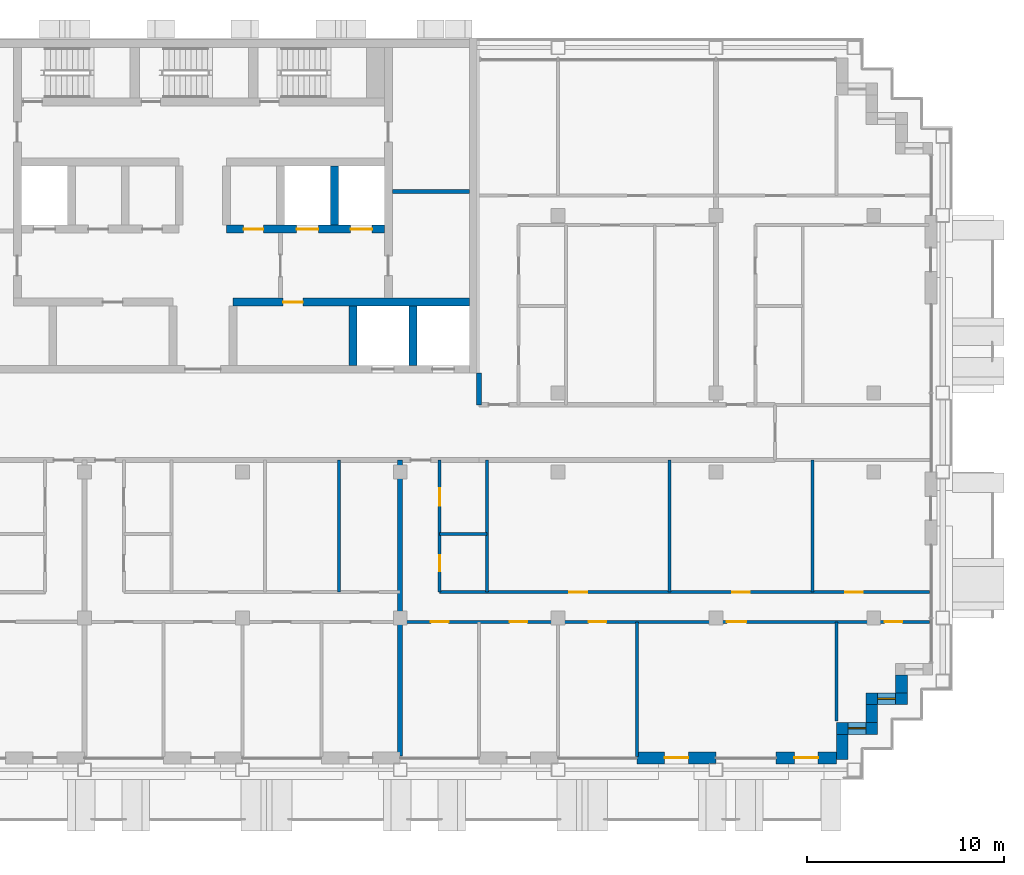
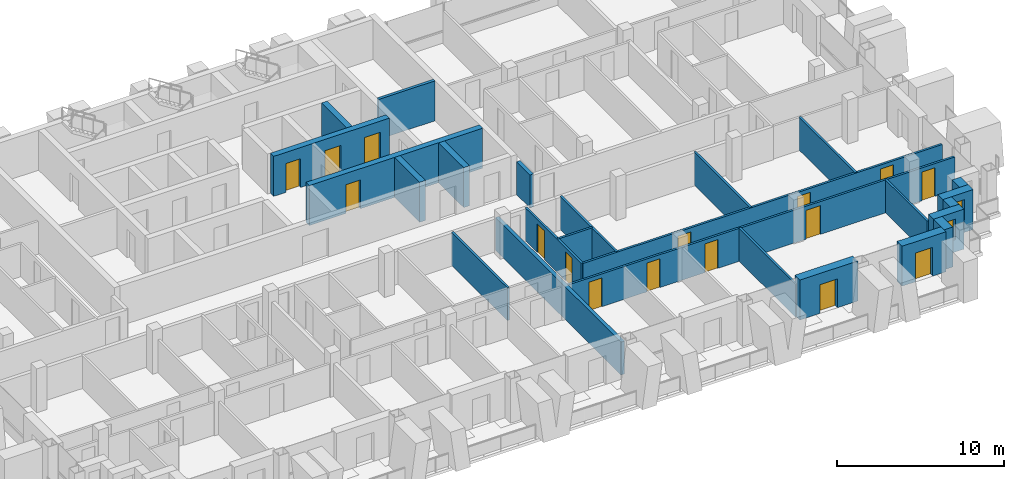
# One storey, part 10 of 16: 25 walls, 16 doors, 2 windows, 18 openings.
"""IFC4 building model written with IfcOpenShell, lengths in metres."""

from ifc_helpers import new_model, si_unit, direction, frame, frame_2d, origin, place, context, subcontext, project, spatial, rectangle, extrude, material, layer, layer_set, type_object, element, fill, save


model = new_model("IFC4")

# Units and contexts
model_context = context("Model", 3, precision=1e-05, world=origin(), true_north=direction((0.0, 1.0)))
body_context = subcontext(model_context, "Body", "Model", "MODEL_VIEW")
ifc_project = project(units=[si_unit("LENGTHUNIT", "METRE"), si_unit("AREAUNIT", "SQUARE_METRE"), si_unit("VOLUMEUNIT", "CUBIC_METRE"), si_unit("PLANEANGLEUNIT", "RADIAN"), si_unit("MASSUNIT", "GRAM", prefix="KILO")], contexts=[model_context])

# Site, building, storey
site_placement = place(None, origin())
site = spatial("IfcSite", under=ifc_project, at=site_placement, CompositionType="ELEMENT")
building_placement = place(site_placement, origin())
building = spatial("IfcBuilding", under=site, at=building_placement, Name="Vidyagriha Tower", CompositionType="ELEMENT")
storey_placement = place(building_placement, frame((0.0, 0.0, 168.5)))
storey = spatial("IfcBuildingStorey", under=building, at=storey_placement, Name="L43", CompositionType="ELEMENT", Elevation=168.5)

# Wall, opening, door
ifc_material_1 = material(Name="Precast concrete C40/50 with brick facing", Category="concrete")
ifc_layer_1 = layer(ifc_material_1, 0.60009765625)
ifc_layer_set_1 = layer_set([ifc_layer_1], Name="Precast concrete C40/50 with brick facing")
wall_type_1 = type_object("IfcWallType", Name="Brick-faced precast wall 600", PredefinedType="STANDARD", material=ifc_layer_set_1)
wall_1_placement = place(storey_placement, frame((22.0, -16.5, 0.0)))
wall_1 = element("IfcWall", 1, at=wall_1_placement, inside=storey, type_object=wall_type_1, Name="Brick door bay wall L43 R23.12", PredefinedType="STANDARD", context=body_context, shape_type="SweptSolid", body=[
    extrude(rectangle(XDim=4.0, YDim=0.60009765625, at=frame_2d((2.0, 0.0))), origin(), (0.0, 0.0, 1.0), 2.919921875),
])
opening_1_placement = place(wall_1_placement, frame((1.39990234375, 0.0, 0.0)))
opening_1 = element("IfcOpeningElement", 2, at=opening_1_placement, cuts=wall_1, Name="Opening D43-73", PredefinedType="OPENING", context=body_context, shape_type="SweptSolid", body=[
    extrude(rectangle(XDim=1.199951171875, YDim=2.10009765625, at=frame_2d((0.60009765625, 1.050048828125))), frame((0.0, 0.31005859375, 0.0), z_axis=(0.0, -1.0, 0.0), x_axis=(1.0, 0.0, 0.0)), (0.0, 0.0, 1.0), 0.6201171875),
])
ifc_material_2 = material(Name="Aluminium framed glazed sliding door", Category="aluminium")
door_type_1 = type_object("IfcDoorType", Name="Balcony sliding door 1200x2100", OperationType="NOTDEFINED", PredefinedType="DOOR", material=ifc_material_2)
door_1_placement = place(opening_1_placement, origin())
door_1 = element("IfcDoor", 3, at=door_1_placement, inside=storey, type_object=door_type_1, Name="Door D43-73", OperationType="SLIDING_TO_LEFT", OverallHeight=2.10009765625, OverallWidth=1.199951171875, PredefinedType="DOOR", context=body_context, shape_type="SweptSolid", body=[
    extrude(rectangle(XDim=1.199951171875, YDim=2.10009765625, at=frame_2d((0.60009765625, 1.050048828125))), frame((0.0, 0.02490234375, 0.0), z_axis=(0.0, -1.0, 0.0), x_axis=(1.0, 0.0, 0.0)), (0.0, 0.0, 1.0), 0.050048828125),
])
fill(opening_1, door_1)

wall_2_placement = place(storey_placement, frame((29.050048828125, -16.5, 0.0)))
wall_2 = element("IfcWall", 4, at=wall_2_placement, inside=storey, type_object=wall_type_1, Name="Brick door bay wall L43 R23.14", PredefinedType="STANDARD", context=body_context, shape_type="SweptSolid", body=[
    extrude(rectangle(XDim=3.050048828125, YDim=0.60009765625, at=frame_2d((1.52490234375, 0.0))), origin(), (0.0, 0.0, 1.0), 2.919921875),
])
opening_2_placement = place(wall_2_placement, frame((0.925048828125, 0.0, 0.0)))
opening_2 = element("IfcOpeningElement", 5, at=opening_2_placement, cuts=wall_2, Name="Opening D43-74", PredefinedType="OPENING", context=body_context, shape_type="SweptSolid", body=[
    extrude(rectangle(XDim=1.199951171875, YDim=2.10009765625, at=frame_2d((0.60009765625, 1.050048828125))), frame((0.0, 0.31005859375, 0.0), z_axis=(0.0, -1.0, 0.0), x_axis=(1.0, 0.0, 0.0)), (0.0, 0.0, 1.0), 0.6201171875),
])
door_2_placement = place(opening_2_placement, origin())
door_2 = element("IfcDoor", 6, at=door_2_placement, inside=storey, type_object=door_type_1, Name="Door D43-74", OperationType="SLIDING_TO_LEFT", OverallHeight=2.10009765625, OverallWidth=1.199951171875, PredefinedType="DOOR", context=body_context, shape_type="SweptSolid", body=[
    extrude(rectangle(XDim=1.199951171875, YDim=2.10009765625, at=frame_2d((0.60009765625, 1.050048828125))), frame((0.0, 0.02490234375, 0.0), z_axis=(0.0, -1.0, 0.0), x_axis=(1.0, 0.0, 0.0)), (0.0, 0.0, 1.0), 0.050048828125),
])
fill(opening_2, door_2)

# Wall
wall_3_placement = place(storey_placement, frame((32.39990234375, -16.580078125, 0.0), z_axis=(0.0, 0.0, 1.0), x_axis=(0.0, 1.0, 0.0)))
element("IfcWall", 7, at=wall_3_placement, inside=storey, type_object=wall_type_1, Name="Stepped corner wall L43 R24", PredefinedType="STANDARD", context=body_context, shape_type="SweptSolid", body=[
    extrude(rectangle(XDim=1.280029296875, YDim=0.60009765625, at=frame_2d((0.64013671875, 0.0))), origin(), (0.0, 0.0, 1.0), 2.919921875),
])

# Wall, opening, window
wall_4_placement = place(storey_placement, frame((32.10009765625, -15.0, 0.0)))
wall_4 = element("IfcWall", 8, at=wall_4_placement, inside=storey, type_object=wall_type_1, Name="Stepped corner wall L43 R25", PredefinedType="STANDARD", context=body_context, shape_type="SweptSolid", body=[
    extrude(rectangle(XDim=2.099853515625, YDim=0.60009765625, at=frame_2d((1.0498046875, 0.0))), origin(), (0.0, 0.0, 1.0), 2.919921875),
])
opening_3_placement = place(wall_4_placement, frame((0.60009765625, 0.0, 0.89990234375)))
opening_3 = element("IfcOpeningElement", 9, at=opening_3_placement, cuts=wall_4, Name="Opening WN1", PredefinedType="OPENING", context=body_context, shape_type="SweptSolid", body=[
    extrude(rectangle(XDim=0.89990234375, YDim=1.5, at=frame_2d((0.449951171875, 0.75))), frame((0.0, 0.31005859375, 0.0), z_axis=(0.0, -1.0, 0.0), x_axis=(1.0, 0.0, 0.0)), (0.0, 0.0, 1.0), 0.6201171875),
])
ifc_material_3 = material(Name="Aluminium and glass window", Category="aluminium")
window_type = type_object("IfcWindowType", Name="Reveal window 900x1500", PartitioningType="NOTDEFINED", PredefinedType="WINDOW", material=ifc_material_3)
window_1_placement = place(opening_3_placement, origin())
window_1 = element("IfcWindow", 10, at=window_1_placement, inside=storey, type_object=window_type, Name="Reveal window L43 R25", OverallHeight=1.5, OverallWidth=0.89990234375, PartitioningType="SINGLE_PANEL", PredefinedType="WINDOW", context=body_context, shape_type="SweptSolid", body=[
    extrude(rectangle(XDim=0.89990234375, YDim=1.5, at=frame_2d((0.449951171875, 0.75))), frame((0.0, 0.030029296875, 0.0), z_axis=(0.0, -1.0, 0.0), x_axis=(1.0, 0.0, 0.0)), (0.0, 0.0, 1.0), 0.06005859375),
])
fill(opening_3, window_1)

# Wall
wall_5_placement = place(storey_placement, frame((33.89990234375, -14.699951171875, 0.0), z_axis=(0.0, 0.0, 1.0), x_axis=(0.0, 1.0, 0.0)))
element("IfcWall", 11, at=wall_5_placement, inside=storey, type_object=wall_type_1, Name="Stepped corner wall L43 R26", PredefinedType="STANDARD", context=body_context, shape_type="SweptSolid", body=[
    extrude(rectangle(XDim=0.89990234375, YDim=0.60009765625, at=frame_2d((0.449951171875, 0.0))), origin(), (0.0, 0.0, 1.0), 2.919921875),
])

# Wall, opening, window
wall_6_placement = place(storey_placement, frame((33.60009765625, -13.5, 0.0)))
wall_6 = element("IfcWall", 12, at=wall_6_placement, inside=storey, type_object=wall_type_1, Name="Stepped corner wall L43 R27", PredefinedType="STANDARD", context=body_context, shape_type="SweptSolid", body=[
    extrude(rectangle(XDim=2.099853515625, YDim=0.60009765625, at=frame_2d((1.0498046875, 0.0))), origin(), (0.0, 0.0, 1.0), 2.919921875),
])
opening_4_placement = place(wall_6_placement, frame((0.60009765625, 0.0, 0.89990234375)))
opening_4 = element("IfcOpeningElement", 13, at=opening_4_placement, cuts=wall_6, Name="Opening WN1", PredefinedType="OPENING", context=body_context, shape_type="SweptSolid", body=[
    extrude(rectangle(XDim=0.89990234375, YDim=1.5, at=frame_2d((0.449951171875, 0.75))), frame((0.0, 0.31005859375, 0.0), z_axis=(0.0, -1.0, 0.0), x_axis=(1.0, 0.0, 0.0)), (0.0, 0.0, 1.0), 0.6201171875),
])
window_2_placement = place(opening_4_placement, origin())
window_2 = element("IfcWindow", 14, at=window_2_placement, inside=storey, type_object=window_type, Name="Reveal window L43 R27", OverallHeight=1.5, OverallWidth=0.89990234375, PartitioningType="SINGLE_PANEL", PredefinedType="WINDOW", context=body_context, shape_type="SweptSolid", body=[
    extrude(rectangle(XDim=0.89990234375, YDim=1.5, at=frame_2d((0.449951171875, 0.75))), frame((0.0, 0.030029296875, 0.0), z_axis=(0.0, -1.0, 0.0), x_axis=(1.0, 0.0, 0.0)), (0.0, 0.0, 1.0), 0.06005859375),
])
fill(opening_4, window_2)

# Wall
wall_7_placement = place(storey_placement, frame((35.39990234375, -13.199951171875, 0.0), z_axis=(0.0, 0.0, 1.0), x_axis=(0.0, 1.0, 0.0)))
element("IfcWall", 15, at=wall_7_placement, inside=storey, type_object=wall_type_1, Name="Stepped corner wall L43 R28", PredefinedType="STANDARD", context=body_context, shape_type="SweptSolid", body=[
    extrude(rectangle(XDim=0.89990234375, YDim=0.60009765625, at=frame_2d((0.449951171875, 0.0))), origin(), (0.0, 0.0, 1.0), 2.919921875),
])

# Wall, opening, door
ifc_material_4 = material(Name="Concrete C60/75", Category="concrete")
ifc_layer_2 = layer(ifc_material_4, 0.39990234375)
ifc_layer_set_2 = layer_set([ifc_layer_2], Name="Concrete C60/75")
wall_type_2 = type_object("IfcWallType", Name="Core shear wall 400 mm", PredefinedType="SHEAR", material=ifc_layer_set_2)
wall_8_placement = place(storey_placement, frame((1.522216796875, 6.60009765625, 0.0)))
wall_8 = element("IfcWall", 16, at=wall_8_placement, inside=storey, type_object=wall_type_2, Name="Core lobby south wall east", PredefinedType="SHEAR", context=body_context, shape_type="SweptSolid", body=[
    extrude(rectangle(XDim=11.977783203125, YDim=0.39990234375, at=frame_2d((5.98876953125, 0.0))), origin(), (0.0, 0.0, 1.0), 2.919921875),
])
opening_5_placement = place(wall_8_placement, frame((2.54443359375, 0.0, 0.0)))
opening_5 = element("IfcOpeningElement", 17, at=opening_5_placement, cuts=wall_8, Name="Opening D43-03", PredefinedType="OPENING", context=body_context, shape_type="SweptSolid", body=[
    extrude(rectangle(XDim=1.0, YDim=2.10009765625, at=frame_2d((0.5, 1.050048828125))), frame((0.0, 0.2099609375, 0.0), z_axis=(0.0, -1.0, 0.0), x_axis=(1.0, 0.0, 0.0)), (0.0, 0.0, 1.0), 0.419921875),
])
ifc_material_5 = material(Name="Hollow metal door leaf")
door_type_2 = type_object("IfcDoorType", Name="Core room door 1000 x 2100 mm EI 60", OperationType="NOTDEFINED", PredefinedType="DOOR", material=ifc_material_5)
door_3_placement = place(opening_5_placement, origin())
door_3 = element("IfcDoor", 18, at=door_3_placement, inside=storey, type_object=door_type_2, Name="Door Communications Room 43.02", OperationType="SINGLE_SWING_RIGHT", OverallHeight=2.10009765625, OverallWidth=1.0, PredefinedType="DOOR", context=body_context, shape_type="SweptSolid", body=[
    extrude(rectangle(XDim=1.0, YDim=2.10009765625, at=frame_2d((0.5, 1.050048828125))), frame((0.0, 0.02490234375, 0.0), z_axis=(0.0, -1.0, 0.0), x_axis=(1.0, 0.0, 0.0)), (0.0, 0.0, 1.0), 0.050048828125),
])
fill(opening_5, door_3)

# Walls
for number, where, z_axis, x_axis, name in (
    (19, (7.611083984375, 3.39990234375, 0.0), (0.0, 0.0, 1.0), (0.0, 1.0, 0.0), "Core bay wall S7"),
    (20, (10.655517578125, 3.39990234375, 0.0), (0.0, 0.0, 1.0), (0.0, 1.0, 0.0), "Core bay wall S8"),
):
    element("IfcWall", number, at=place(storey_placement, frame(where, z_axis=z_axis, x_axis=x_axis)), inside=storey, type_object=wall_type_2, Name=name, PredefinedType="SHEAR", context=body_context, shape_type="SweptSolid", body=[
        extrude(rectangle(XDim=3.0, YDim=0.39990234375, at=frame_2d((1.5, 0.0))), origin(), (0.0, 0.0, 1.0), 2.919921875),
    ])

# Wall, openings, doors
wall_9_placement = place(storey_placement, frame((1.199951171875, 10.300048828125, 0.0)))
wall_9 = element("IfcWall", 21, at=wall_9_placement, inside=storey, type_object=wall_type_2, Name="Core row N front wall", PredefinedType="SHEAR", context=body_context, shape_type="SweptSolid", body=[
    extrude(rectangle(XDim=8.0, YDim=0.39990234375, at=frame_2d((4.0, 0.0))), origin(), (0.0, 0.0, 1.0), 2.919921875),
])
opening_6_placement = place(wall_9_placement, frame((3.550048828125, 0.0, 0.0)))
opening_6 = element("IfcOpeningElement", 22, at=opening_6_placement, cuts=wall_9, Name="Opening LD43-04", PredefinedType="OPENING", context=body_context, shape_type="SweptSolid", body=[
    extrude(rectangle(XDim=1.10009765625, YDim=2.10009765625, at=frame_2d((0.550048828125, 1.050048828125))), frame((0.0, 0.2099609375, 0.0), z_axis=(0.0, -1.0, 0.0), x_axis=(1.0, 0.0, 0.0)), (0.0, 0.0, 1.0), 0.419921875),
])
opening_7_placement = place(wall_9_placement, frame((6.283203125, 0.0, 0.0)))
opening_7 = element("IfcOpeningElement", 23, at=opening_7_placement, cuts=wall_9, Name="Opening LD43-05", PredefinedType="OPENING", context=body_context, shape_type="SweptSolid", body=[
    extrude(rectangle(XDim=1.10009765625, YDim=2.10009765625, at=frame_2d((0.550048828125, 1.050048828125))), frame((0.0, 0.2099609375, 0.0), z_axis=(0.0, -1.0, 0.0), x_axis=(1.0, 0.0, 0.0)), (0.0, 0.0, 1.0), 0.419921875),
])
opening_8_placement = place(wall_9_placement, frame((0.86669921875, 0.0, 0.0)))
opening_8 = element("IfcOpeningElement", 24, at=opening_8_placement, cuts=wall_9, Name="Opening D43-06", PredefinedType="OPENING", context=body_context, shape_type="SweptSolid", body=[
    extrude(rectangle(XDim=1.0, YDim=2.10009765625, at=frame_2d((0.5, 1.050048828125))), frame((0.0, 0.2099609375, 0.0), z_axis=(0.0, -1.0, 0.0), x_axis=(1.0, 0.0, 0.0)), (0.0, 0.0, 1.0), 0.419921875),
])
door_4_placement = place(opening_8_placement, frame((1.0, 0.0, 0.0), z_axis=(0.0, 0.0, 1.0), x_axis=(-1.0, 0.0, 0.0)))
door_4 = element("IfcDoor", 25, at=door_4_placement, inside=storey, type_object=door_type_2, Name="Door Communications Room 43.16", OperationType="SINGLE_SWING_LEFT", OverallHeight=2.10009765625, OverallWidth=1.0, PredefinedType="DOOR", context=body_context, shape_type="SweptSolid", body=[
    extrude(rectangle(XDim=1.0, YDim=2.10009765625, at=frame_2d((0.5, 1.050048828125))), frame((0.0, 0.02490234375, 0.0), z_axis=(0.0, -1.0, 0.0), x_axis=(1.0, 0.0, 0.0)), (0.0, 0.0, 1.0), 0.050048828125),
])
fill(opening_8, door_4)
ifc_material_6 = material(Name="Stainless steel sliding door panel", Category="steel")
door_type_3 = type_object("IfcDoorType", Name="Lift landing door 1100 x 2100 mm EI 90", OperationType="NOTDEFINED", PredefinedType="DOOR", material=ifc_material_6)
door_5_placement = place(opening_6_placement, origin())
door_5 = element("IfcDoor", 26, at=door_5_placement, inside=storey, type_object=door_type_3, Name="Landing door FF1 L43", OperationType="SLIDING_TO_LEFT", OverallHeight=2.10009765625, OverallWidth=1.10009765625, PredefinedType="DOOR", context=body_context, shape_type="SweptSolid", body=[
    extrude(rectangle(XDim=1.10009765625, YDim=2.10009765625, at=frame_2d((0.550048828125, 1.050048828125))), frame((0.0, 0.02490234375, 0.0), z_axis=(0.0, -1.0, 0.0), x_axis=(1.0, 0.0, 0.0)), (0.0, 0.0, 1.0), 0.050048828125),
])
fill(opening_6, door_5)
door_6_placement = place(opening_7_placement, origin())
door_6 = element("IfcDoor", 27, at=door_6_placement, inside=storey, type_object=door_type_3, Name="Landing door FF2 L43", OperationType="SLIDING_TO_LEFT", OverallHeight=2.10009765625, OverallWidth=1.10009765625, PredefinedType="DOOR", context=body_context, shape_type="SweptSolid", body=[
    extrude(rectangle(XDim=1.10009765625, YDim=2.10009765625, at=frame_2d((0.550048828125, 1.050048828125))), frame((0.0, 0.02490234375, 0.0), z_axis=(0.0, -1.0, 0.0), x_axis=(1.0, 0.0, 0.0)), (0.0, 0.0, 1.0), 0.050048828125),
])
fill(opening_7, door_6)

# Walls
wall_10_placement = place(storey_placement, frame((6.666748046875, 10.5, 0.0), z_axis=(0.0, 0.0, 1.0), x_axis=(0.0, 1.0, 0.0)))
element("IfcWall", 28, at=wall_10_placement, inside=storey, type_object=wall_type_2, Name="Core bay wall N6", PredefinedType="SHEAR", context=body_context, shape_type="SweptSolid", body=[
    extrude(rectangle(XDim=3.0, YDim=0.39990234375, at=frame_2d((1.5, 0.0))), origin(), (0.0, 0.0, 1.0), 2.919921875),
])
ifc_material_7 = material(Name="Fired clay brick masonry", Category="masonry")
ifc_layer_3 = layer(ifc_material_7, 0.25)
ifc_layer_set_3 = layer_set([ifc_layer_3], Name="Fired clay brick masonry")
wall_type_3 = type_object("IfcWallType", Name="Fired clay brick corridor wall 250", PredefinedType="PARTITIONING", material=ifc_layer_set_3)
wall_11_placement = place(storey_placement, frame((14.0, 1.39990234375, 0.0), z_axis=(0.0, 0.0, 1.0), x_axis=(0.0, 1.0, 0.0)))
element("IfcWall", 29, at=wall_11_placement, inside=storey, type_object=wall_type_3, Name="Wall all-L43-w115", PredefinedType="PARTITIONING", context=body_context, shape_type="SweptSolid", body=[
    extrude(rectangle(XDim=1.60009765625, YDim=0.25, at=frame_2d((0.800048828125, 0.0))), origin(), (0.0, 0.0, 1.0), 2.39990234375),
])
ifc_material_8 = material(Name="Fired clay brick masonry", Category="masonry")
ifc_layer_4 = layer(ifc_material_8, 0.25)
ifc_layer_set_4 = layer_set([ifc_layer_4], Name="Fired clay brick masonry")
wall_type_4 = type_object("IfcWallType", Name="Fired clay brick demising wall 250", PredefinedType="PARTITIONING", material=ifc_layer_set_4)
wall_12_placement = place(storey_placement, frame((10.0, -1.39990234375, 0.0), z_axis=(0.0, 0.0, 1.0), x_axis=(0.0, -1.0, 0.0)))
element("IfcWall", 30, at=wall_12_placement, inside=storey, type_object=wall_type_4, Name="Wall all-L43-w065", PredefinedType="PARTITIONING", context=body_context, shape_type="SweptSolid", body=[
    extrude(rectangle(XDim=15.010009765625, YDim=0.25, at=frame_2d((7.5048828125, 0.0))), origin(), (0.0, 0.0, 1.0), 2.39990234375),
])
ifc_material_9 = material(Name="Gypsum board partition")
ifc_layer_5 = layer(ifc_material_9, 0.14990234375)
ifc_layer_set_5 = layer_set([ifc_layer_5], Name="Gypsum board partition")
wall_type_5 = type_object("IfcWallType", Name="Gypsum board partition 150", PredefinedType="PARTITIONING", material=ifc_layer_set_5)
wall_13_placement = place(storey_placement, frame((6.89990234375, -1.39990234375, 0.0), z_axis=(0.0, 0.0, 1.0), x_axis=(0.0, -1.0, 0.0)))
element("IfcWall", 31, at=wall_13_placement, inside=storey, type_object=wall_type_5, Name="Wall all-L43-w028", PredefinedType="PARTITIONING", context=body_context, shape_type="SweptSolid", body=[
    extrude(rectangle(XDim=6.7001953125, YDim=0.14990234375, at=frame_2d((3.35009765625, 0.0))), origin(), (0.0, 0.0, 1.0), 2.39990234375),
])
wall_14_placement = place(storey_placement, frame((14.39990234375, -5.14990234375, 0.0), z_axis=(0.0, 0.0, 1.0), x_axis=(-1.0, 0.0, 0.0)))
element("IfcWall", 32, at=wall_14_placement, inside=storey, type_object=wall_type_5, Name="Wall all-L43-w046", PredefinedType="PARTITIONING", context=body_context, shape_type="SweptSolid", body=[
    extrude(rectangle(XDim=2.39990234375, YDim=0.14990234375, at=frame_2d((1.199951171875, 0.0))), origin(), (0.0, 0.0, 1.0), 2.39990234375),
])
for number, where, z_axis, x_axis, name in (
    (33, (14.39990234375, -1.39990234375, 0.0), (0.0, 0.0, 1.0), (0.0, -1.0, 0.0), "Wall all-L43-w047"),
    (34, (23.64990234375, -1.39990234375, 0.0), (0.0, 0.0, 1.0), (0.0, -1.0, 0.0), "Wall all-L43-w048"),
    (35, (30.89990234375, -1.39990234375, 0.0), (0.0, 0.0, 1.0), (0.0, -1.0, 0.0), "Wall all-L43-w049"),
):
    element("IfcWall", number, at=place(storey_placement, frame(where, z_axis=z_axis, x_axis=x_axis)), inside=storey, type_object=wall_type_5, Name=name, PredefinedType="PARTITIONING", context=body_context, shape_type="SweptSolid", body=[
        extrude(rectangle(XDim=6.7001953125, YDim=0.14990234375, at=frame_2d((3.35009765625, 0.0))), origin(), (0.0, 0.0, 1.0), 2.39990234375),
    ])

# Wall, openings, doors
wall_15_placement = place(storey_placement, frame((12.0, -8.10009765625, 0.0)))
wall_15 = element("IfcWall", 36, at=wall_15_placement, inside=storey, type_object=wall_type_5, Name="Wall all-L43-w050", PredefinedType="PARTITIONING", context=body_context, shape_type="SweptSolid", body=[
    extrude(rectangle(XDim=24.820068359375, YDim=0.14990234375, at=frame_2d((12.41015625, 0.0))), origin(), (0.0, 0.0, 1.0), 2.39990234375),
])
opening_9_placement = place(wall_15_placement, frame((6.574951171875, 0.0, 0.0)))
opening_9 = element("IfcOpeningElement", 37, at=opening_9_placement, cuts=wall_15, Name="Opening D43-37", PredefinedType="OPENING", context=body_context, shape_type="SweptSolid", body=[
    extrude(rectangle(XDim=0.89990234375, YDim=2.10009765625, at=frame_2d((0.449951171875, 1.050048828125))), frame((0.0, 0.0849609375, 0.0), z_axis=(0.0, -1.0, 0.0), x_axis=(1.0, 0.0, 0.0)), (0.0, 0.0, 1.0), 0.169921875),
])
opening_10_placement = place(wall_15_placement, frame((14.824951171875, 0.0, 0.0)))
opening_10 = element("IfcOpeningElement", 38, at=opening_10_placement, cuts=wall_15, Name="Opening D43-38", PredefinedType="OPENING", context=body_context, shape_type="SweptSolid", body=[
    extrude(rectangle(XDim=0.89990234375, YDim=2.10009765625, at=frame_2d((0.449951171875, 1.050048828125))), frame((0.0, 0.0849609375, 0.0), z_axis=(0.0, -1.0, 0.0), x_axis=(1.0, 0.0, 0.0)), (0.0, 0.0, 1.0), 0.169921875),
])
opening_11_placement = place(wall_15_placement, frame((20.552978515625, 0.0, 0.0)))
opening_11 = element("IfcOpeningElement", 39, at=opening_11_placement, cuts=wall_15, Name="Opening D43-39", PredefinedType="OPENING", context=body_context, shape_type="SweptSolid", body=[
    extrude(rectangle(XDim=0.89990234375, YDim=2.10009765625, at=frame_2d((0.449951171875, 1.050048828125))), frame((0.0, 0.0849609375, 0.0), z_axis=(0.0, -1.0, 0.0), x_axis=(1.0, 0.0, 0.0)), (0.0, 0.0, 1.0), 0.169921875),
])
ifc_material_10 = material(Name="Timber door leaf", Category="wood")
door_type_4 = type_object("IfcDoorType", Name="Room door 900x2100", OperationType="NOTDEFINED", PredefinedType="DOOR", material=ifc_material_10)
door_7_placement = place(opening_9_placement, origin())
door_7 = element("IfcDoor", 40, at=door_7_placement, inside=storey, type_object=door_type_4, Name="Door D43-37", OperationType="SINGLE_SWING_LEFT", OverallHeight=2.10009765625, OverallWidth=0.89990234375, PredefinedType="DOOR", context=body_context, shape_type="SweptSolid", body=[
    extrude(rectangle(XDim=0.89990234375, YDim=2.10009765625, at=frame_2d((0.449951171875, 1.050048828125))), frame((0.0, 0.02490234375, 0.0), z_axis=(0.0, -1.0, 0.0), x_axis=(1.0, 0.0, 0.0)), (0.0, 0.0, 1.0), 0.050048828125),
])
fill(opening_9, door_7)
door_8_placement = place(opening_10_placement, origin())
door_8 = element("IfcDoor", 41, at=door_8_placement, inside=storey, type_object=door_type_4, Name="Door D43-38", OperationType="SINGLE_SWING_RIGHT", OverallHeight=2.10009765625, OverallWidth=0.89990234375, PredefinedType="DOOR", context=body_context, shape_type="SweptSolid", body=[
    extrude(rectangle(XDim=0.89990234375, YDim=2.10009765625, at=frame_2d((0.449951171875, 1.050048828125))), frame((0.0, 0.02490234375, 0.0), z_axis=(0.0, -1.0, 0.0), x_axis=(1.0, 0.0, 0.0)), (0.0, 0.0, 1.0), 0.050048828125),
])
fill(opening_10, door_8)
door_9_placement = place(opening_11_placement, origin())
door_9 = element("IfcDoor", 42, at=door_9_placement, inside=storey, type_object=door_type_4, Name="Door D43-39", OperationType="SINGLE_SWING_LEFT", OverallHeight=2.10009765625, OverallWidth=0.89990234375, PredefinedType="DOOR", context=body_context, shape_type="SweptSolid", body=[
    extrude(rectangle(XDim=0.89990234375, YDim=2.10009765625, at=frame_2d((0.449951171875, 1.050048828125))), frame((0.0, 0.02490234375, 0.0), z_axis=(0.0, -1.0, 0.0), x_axis=(1.0, 0.0, 0.0)), (0.0, 0.0, 1.0), 0.050048828125),
])
fill(opening_11, door_9)

wall_16_placement = place(storey_placement, frame((36.820068359375, -9.60009765625, 0.0), z_axis=(0.0, 0.0, 1.0), x_axis=(-1.0, 0.0, 0.0)))
wall_16 = element("IfcWall", 43, at=wall_16_placement, inside=storey, type_object=wall_type_5, Name="Wall all-L43-w054", PredefinedType="PARTITIONING", context=body_context, shape_type="SweptSolid", body=[
    extrude(rectangle(XDim=26.820068359375, YDim=0.14990234375, at=frame_2d((13.41015625, 0.0))), origin(), (0.0, 0.0, 1.0), 2.39990234375),
])
opening_12_placement = place(wall_16_placement, frame((24.3701171875, 0.0, 0.0)))
opening_12 = element("IfcOpeningElement", 44, at=opening_12_placement, cuts=wall_16, Name="Opening D43-40", PredefinedType="OPENING", context=body_context, shape_type="SweptSolid", body=[
    extrude(rectangle(XDim=0.89990234375, YDim=2.10009765625, at=frame_2d((0.449951171875, 1.050048828125))), frame((0.0, 0.0849609375, 0.0), z_axis=(0.0, -1.0, 0.0), x_axis=(1.0, 0.0, 0.0)), (0.0, 0.0, 1.0), 0.169921875),
])
opening_13_placement = place(wall_16_placement, frame((20.3701171875, 0.0, 0.0)))
opening_13 = element("IfcOpeningElement", 45, at=opening_13_placement, cuts=wall_16, Name="Opening D43-41", PredefinedType="OPENING", context=body_context, shape_type="SweptSolid", body=[
    extrude(rectangle(XDim=0.89990234375, YDim=2.10009765625, at=frame_2d((0.449951171875, 1.050048828125))), frame((0.0, 0.0849609375, 0.0), z_axis=(0.0, -1.0, 0.0), x_axis=(1.0, 0.0, 0.0)), (0.0, 0.0, 1.0), 0.169921875),
])
opening_14_placement = place(wall_16_placement, frame((16.3701171875, 0.0, 0.0)))
opening_14 = element("IfcOpeningElement", 46, at=opening_14_placement, cuts=wall_16, Name="Opening D43-42", PredefinedType="OPENING", context=body_context, shape_type="SweptSolid", body=[
    extrude(rectangle(XDim=0.89990234375, YDim=2.10009765625, at=frame_2d((0.449951171875, 1.050048828125))), frame((0.0, 0.0849609375, 0.0), z_axis=(0.0, -1.0, 0.0), x_axis=(1.0, 0.0, 0.0)), (0.0, 0.0, 1.0), 0.169921875),
])
opening_15_placement = place(wall_16_placement, frame((9.27001953125, 0.0, 0.0)))
opening_15 = element("IfcOpeningElement", 47, at=opening_15_placement, cuts=wall_16, Name="Opening D43-43", PredefinedType="OPENING", context=body_context, shape_type="SweptSolid", body=[
    extrude(rectangle(XDim=1.0, YDim=2.10009765625, at=frame_2d((0.5, 1.050048828125))), frame((0.0, 0.0849609375, 0.0), z_axis=(0.0, -1.0, 0.0), x_axis=(1.0, 0.0, 0.0)), (0.0, 0.0, 1.0), 0.169921875),
])
opening_16_placement = place(wall_16_placement, frame((1.373046875, 0.0, 0.0)))
opening_16 = element("IfcOpeningElement", 48, at=opening_16_placement, cuts=wall_16, Name="Opening D43-44", PredefinedType="OPENING", context=body_context, shape_type="SweptSolid", body=[
    extrude(rectangle(XDim=0.89990234375, YDim=2.10009765625, at=frame_2d((0.449951171875, 1.050048828125))), frame((0.0, 0.0849609375, 0.0), z_axis=(0.0, -1.0, 0.0), x_axis=(1.0, 0.0, 0.0)), (0.0, 0.0, 1.0), 0.169921875),
])
ifc_material_11 = material(Name="Timber door leaf", Category="wood")
door_type_5 = type_object("IfcDoorType", Name="Room door 1000x2100", OperationType="NOTDEFINED", PredefinedType="DOOR", material=ifc_material_11)
door_10_placement = place(opening_15_placement, origin())
door_10 = element("IfcDoor", 49, at=door_10_placement, inside=storey, type_object=door_type_5, Name="Door D43-43", OperationType="SINGLE_SWING_RIGHT", OverallHeight=2.10009765625, OverallWidth=1.0, PredefinedType="DOOR", context=body_context, shape_type="SweptSolid", body=[
    extrude(rectangle(XDim=1.0, YDim=2.10009765625, at=frame_2d((0.5, 1.050048828125))), frame((0.0, 0.02490234375, 0.0), z_axis=(0.0, -1.0, 0.0), x_axis=(1.0, 0.0, 0.0)), (0.0, 0.0, 1.0), 0.050048828125),
])
fill(opening_15, door_10)
door_11_placement = place(opening_12_placement, origin())
door_11 = element("IfcDoor", 50, at=door_11_placement, inside=storey, type_object=door_type_4, Name="Door D43-40", OperationType="SINGLE_SWING_RIGHT", OverallHeight=2.10009765625, OverallWidth=0.89990234375, PredefinedType="DOOR", context=body_context, shape_type="SweptSolid", body=[
    extrude(rectangle(XDim=0.89990234375, YDim=2.10009765625, at=frame_2d((0.449951171875, 1.050048828125))), frame((0.0, 0.02490234375, 0.0), z_axis=(0.0, -1.0, 0.0), x_axis=(1.0, 0.0, 0.0)), (0.0, 0.0, 1.0), 0.050048828125),
])
fill(opening_12, door_11)
door_12_placement = place(opening_13_placement, origin())
door_12 = element("IfcDoor", 51, at=door_12_placement, inside=storey, type_object=door_type_4, Name="Door D43-41", OperationType="SINGLE_SWING_RIGHT", OverallHeight=2.10009765625, OverallWidth=0.89990234375, PredefinedType="DOOR", context=body_context, shape_type="SweptSolid", body=[
    extrude(rectangle(XDim=0.89990234375, YDim=2.10009765625, at=frame_2d((0.449951171875, 1.050048828125))), frame((0.0, 0.02490234375, 0.0), z_axis=(0.0, -1.0, 0.0), x_axis=(1.0, 0.0, 0.0)), (0.0, 0.0, 1.0), 0.050048828125),
])
fill(opening_13, door_12)
door_13_placement = place(opening_14_placement, origin())
door_13 = element("IfcDoor", 52, at=door_13_placement, inside=storey, type_object=door_type_4, Name="Door D43-42", OperationType="SINGLE_SWING_RIGHT", OverallHeight=2.10009765625, OverallWidth=0.89990234375, PredefinedType="DOOR", context=body_context, shape_type="SweptSolid", body=[
    extrude(rectangle(XDim=0.89990234375, YDim=2.10009765625, at=frame_2d((0.449951171875, 1.050048828125))), frame((0.0, 0.02490234375, 0.0), z_axis=(0.0, -1.0, 0.0), x_axis=(1.0, 0.0, 0.0)), (0.0, 0.0, 1.0), 0.050048828125),
])
fill(opening_14, door_13)
door_14_placement = place(opening_16_placement, origin())
door_14 = element("IfcDoor", 53, at=door_14_placement, inside=storey, type_object=door_type_4, Name="Door D43-44", OperationType="SINGLE_SWING_LEFT", OverallHeight=2.10009765625, OverallWidth=0.89990234375, PredefinedType="DOOR", context=body_context, shape_type="SweptSolid", body=[
    extrude(rectangle(XDim=0.89990234375, YDim=2.10009765625, at=frame_2d((0.449951171875, 1.050048828125))), frame((0.0, 0.02490234375, 0.0), z_axis=(0.0, -1.0, 0.0), x_axis=(1.0, 0.0, 0.0)), (0.0, 0.0, 1.0), 0.050048828125),
])
fill(opening_16, door_14)

# Walls
wall_17_placement = place(storey_placement, frame((22.0, -9.60009765625, 0.0), z_axis=(0.0, 0.0, 1.0), x_axis=(0.0, -1.0, 0.0)))
element("IfcWall", 54, at=wall_17_placement, inside=storey, type_object=wall_type_5, Name="Wall all-L43-w062", PredefinedType="PARTITIONING", context=body_context, shape_type="SweptSolid", body=[
    extrude(rectangle(XDim=6.82080078125, YDim=0.14990234375, at=frame_2d((3.410400390625, 0.0))), origin(), (0.0, 0.0, 1.0), 2.39990234375),
])
wall_18_placement = place(storey_placement, frame((32.10009765625, -9.60009765625, 0.0), z_axis=(0.0, 0.0, 1.0), x_axis=(0.0, -1.0, 0.0)))
element("IfcWall", 55, at=wall_18_placement, inside=storey, type_object=wall_type_5, Name="Wall all-L43-w063", PredefinedType="PARTITIONING", context=body_context, shape_type="SweptSolid", body=[
    extrude(rectangle(XDim=5.02001953125, YDim=0.14990234375, at=frame_2d((2.510009765625, 0.0))), origin(), (0.0, 0.0, 1.0), 2.39990234375),
])

# Wall, openings, doors
ifc_material_12 = material(Name="Moisture resistant gypsum board partition")
ifc_layer_6 = layer(ifc_material_12, 0.14990234375)
ifc_layer_set_6 = layer_set([ifc_layer_6], Name="Moisture resistant gypsum board partition")
wall_type_6 = type_object("IfcWallType", Name="Gypsum board wet-area partition 150", PredefinedType="PARTITIONING", material=ifc_layer_set_6)
wall_19_placement = place(storey_placement, frame((12.0, -1.39990234375, 0.0), z_axis=(0.0, 0.0, 1.0), x_axis=(0.0, -1.0, 0.0)))
wall_19 = element("IfcWall", 56, at=wall_19_placement, inside=storey, type_object=wall_type_6, Name="Wall all-L43-w043", PredefinedType="PARTITIONING", context=body_context, shape_type="SweptSolid", body=[
    extrude(rectangle(XDim=6.7001953125, YDim=0.14990234375, at=frame_2d((3.35009765625, 0.0))), origin(), (0.0, 0.0, 1.0), 2.39990234375),
])
opening_17_placement = place(wall_19_placement, frame((1.425048828125, 0.0, 0.0)))
opening_17 = element("IfcOpeningElement", 57, at=opening_17_placement, cuts=wall_19, Name="Opening D43-35", PredefinedType="OPENING", context=body_context, shape_type="SweptSolid", body=[
    extrude(rectangle(XDim=0.89990234375, YDim=2.10009765625, at=frame_2d((0.449951171875, 1.050048828125))), frame((0.0, 0.0849609375, 0.0), z_axis=(0.0, -1.0, 0.0), x_axis=(1.0, 0.0, 0.0)), (0.0, 0.0, 1.0), 0.169921875),
])
opening_18_placement = place(wall_19_placement, frame((4.824951171875, 0.0, 0.0)))
opening_18 = element("IfcOpeningElement", 58, at=opening_18_placement, cuts=wall_19, Name="Opening D43-36", PredefinedType="OPENING", context=body_context, shape_type="SweptSolid", body=[
    extrude(rectangle(XDim=0.800048828125, YDim=2.10009765625, at=frame_2d((0.39990234375, 1.050048828125))), frame((0.0, 0.0849609375, 0.0), z_axis=(0.0, -1.0, 0.0), x_axis=(1.0, 0.0, 0.0)), (0.0, 0.0, 1.0), 0.169921875),
])
ifc_material_13 = material(Name="Timber door leaf", Category="wood")
door_type_6 = type_object("IfcDoorType", Name="Bathroom door 800x2100", OperationType="NOTDEFINED", PredefinedType="DOOR", material=ifc_material_13)
door_15_placement = place(opening_18_placement, origin())
door_15 = element("IfcDoor", 59, at=door_15_placement, inside=storey, type_object=door_type_6, Name="Door D43-36", OperationType="SINGLE_SWING_RIGHT", OverallHeight=2.10009765625, OverallWidth=0.800048828125, PredefinedType="DOOR", context=body_context, shape_type="SweptSolid", body=[
    extrude(rectangle(XDim=0.800048828125, YDim=2.10009765625, at=frame_2d((0.39990234375, 1.050048828125))), frame((0.0, 0.02490234375, 0.0), z_axis=(0.0, -1.0, 0.0), x_axis=(1.0, 0.0, 0.0)), (0.0, 0.0, 1.0), 0.050048828125),
])
fill(opening_18, door_15)
ifc_material_14 = material(Name="Timber door leaf", Category="wood")
door_type_7 = type_object("IfcDoorType", Name="Kitchen door 900x2100", OperationType="NOTDEFINED", PredefinedType="DOOR", material=ifc_material_14)
door_16_placement = place(opening_17_placement, origin())
door_16 = element("IfcDoor", 60, at=door_16_placement, inside=storey, type_object=door_type_7, Name="Door D43-35", OperationType="SINGLE_SWING_LEFT", OverallHeight=2.10009765625, OverallWidth=0.89990234375, PredefinedType="DOOR", context=body_context, shape_type="SweptSolid", body=[
    extrude(rectangle(XDim=0.89990234375, YDim=2.10009765625, at=frame_2d((0.449951171875, 1.050048828125))), frame((0.0, 0.02490234375, 0.0), z_axis=(0.0, -1.0, 0.0), x_axis=(1.0, 0.0, 0.0)), (0.0, 0.0, 1.0), 0.050048828125),
])
fill(opening_17, door_16)

# Wall
ifc_material_15 = material(Name="Blockwork 15 MPa", Category="masonry")
ifc_layer_7 = layer(ifc_material_15, 0.199951171875)
ifc_layer_set_7 = layer_set([ifc_layer_7], Name="Blockwork 15 MPa")
wall_type_7 = type_object("IfcWallType", Name="Service room partition 200 mm", PredefinedType="PARTITIONING", material=ifc_layer_set_7)
wall_20_placement = place(storey_placement, frame((9.60009765625, 12.199951171875, 0.0)))
element("IfcWall", 61, at=wall_20_placement, inside=storey, type_object=wall_type_7, Name="Core room partition E1", PredefinedType="PARTITIONING", context=body_context, shape_type="SweptSolid", body=[
    extrude(rectangle(XDim=3.89990234375, YDim=0.199951171875, at=frame_2d((1.949951171875, 0.0))), origin(), (0.0, 0.0, 1.0), 2.919921875),
])

save(model, "model.ifc")
